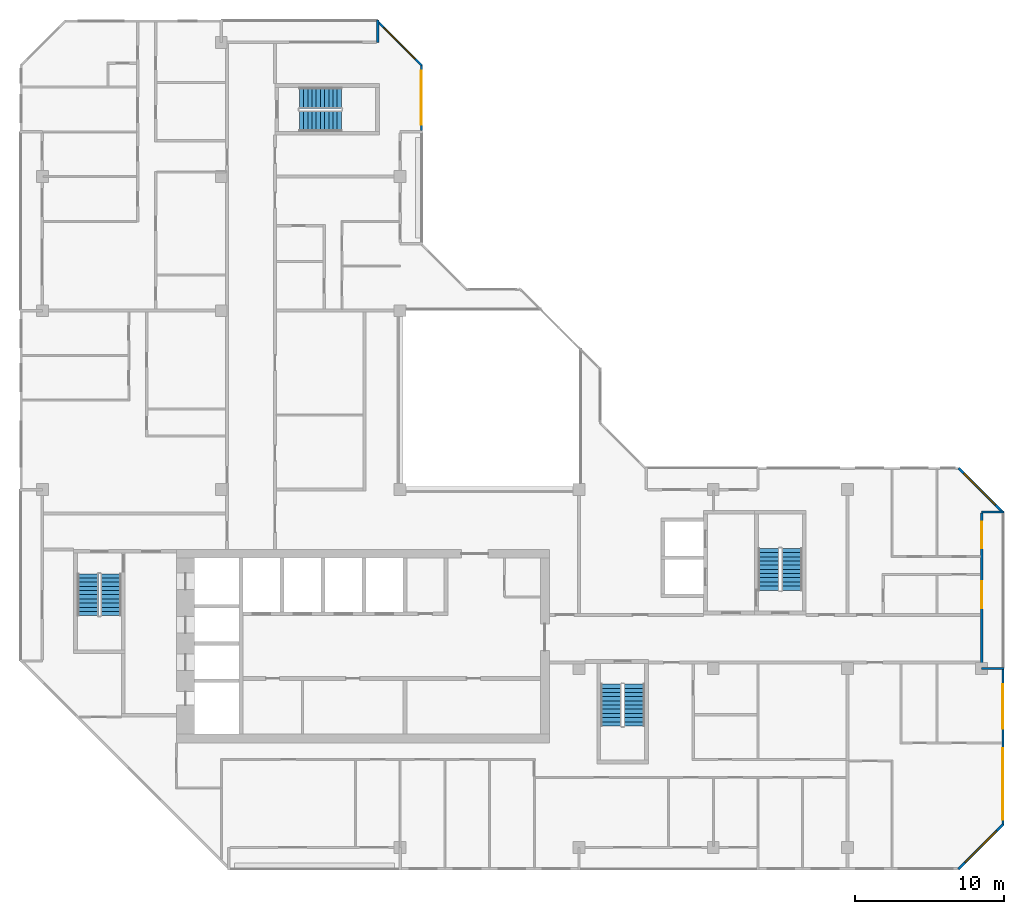
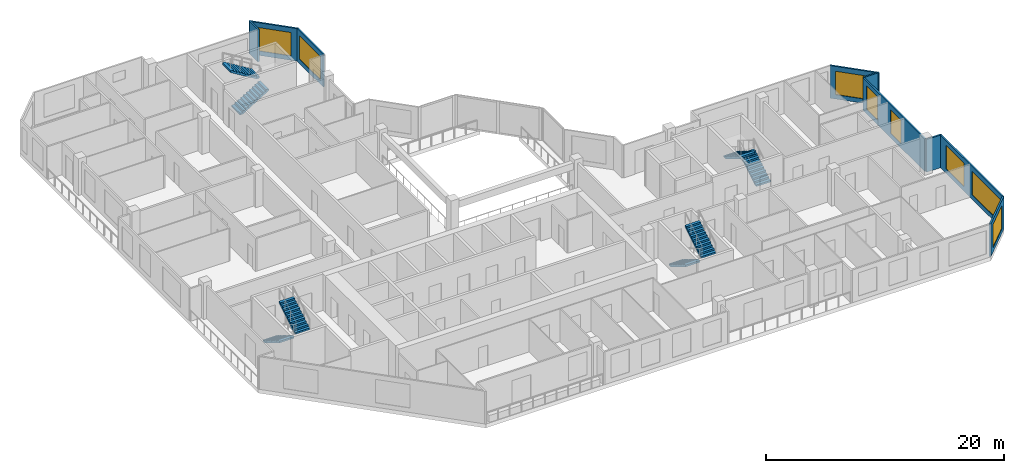
# One storey, part 11 of 13: 9 walls, 8 stair flights, 8 windows, 8 openings, 4 elements without a shape of their own.
"""IFC4 building model written with IfcOpenShell, lengths in metres."""

from ifc_helpers import new_model, si_unit, direction, frame, frame_2d, origin, place, context, subcontext, project, spatial, polyline, rectangle, outline, extrude, material, layer, layer_set, type_object, element, fill, aggregate, save


model = new_model("IFC4")

# Units and contexts
model_context = context("Model", 3, precision=1e-05, world=origin(), true_north=direction((0.0, 1.0)))
body_context = subcontext(model_context, "Body", "Model", "MODEL_VIEW")
ifc_project = project(units=[si_unit("LENGTHUNIT", "METRE"), si_unit("AREAUNIT", "SQUARE_METRE"), si_unit("VOLUMEUNIT", "CUBIC_METRE"), si_unit("PLANEANGLEUNIT", "RADIAN"), si_unit("MASSUNIT", "GRAM", prefix="KILO")], contexts=[model_context])

# Site, building, storey
site_placement = place(None, origin())
site = spatial("IfcSite", under=ifc_project, at=site_placement, CompositionType="ELEMENT")
building_placement = place(site_placement, origin())
building = spatial("IfcBuilding", under=site, at=building_placement, Name="Chenar Terraces", CompositionType="ELEMENT")
storey_placement = place(building_placement, frame((0.0, 0.0, 284.64990234375)))
storey = spatial("IfcBuildingStorey", under=building, at=storey_placement, Name="L66", CompositionType="ELEMENT", Elevation=284.64990234375)

# Wall, opening, window
ifc_material_1 = material(Name="Aluminium framed glazing", Category="aluminium")
ifc_layer_1 = layer(ifc_material_1, 0.14990234375)
ifc_layer_set_1 = layer_set([ifc_layer_1], Name="Aluminium framed glazing")
wall_type_1 = type_object("IfcWallType", Name="Glazed flush facade wall 150", PredefinedType="SOLIDWALL", material=ifc_layer_set_1)
wall_1_placement = place(storey_placement, frame((25.425048828125, 48.074951171875, 0.0), z_axis=(0.0, 0.0, 1.0), x_axis=(0.0, 1.0, 0.0)))
wall_1 = element("IfcWall", 1, at=wall_1_placement, inside=storey, type_object=wall_type_1, Name="Glazed flush facade wall", PredefinedType="SOLIDWALL", context=body_context, shape_type="SweptSolid", body=[
    extrude(rectangle(XDim=4.425048828125, YDim=0.14990234375, at=frame_2d((2.21240234375, 0.0))), origin(), (0.0, 0.0, 1.0), 3.35009765625),
])
opening_1_placement = place(wall_1_placement, frame((0.41259765625, 0.0, 0.449951171875)))
opening_1 = element("IfcOpeningElement", 2, at=opening_1_placement, cuts=wall_1, Name="Opening W360x240", PredefinedType="OPENING", context=body_context, shape_type="SweptSolid", body=[
    extrude(rectangle(XDim=3.60009765625, YDim=2.39990234375, at=frame_2d((1.800048828125, 1.199951171875))), frame((0.0, 0.0849609375, 0.0), z_axis=(0.0, -1.0, 0.0), x_axis=(1.0, 0.0, 0.0)), (0.0, 0.0, 1.0), 0.169921875),
])
ifc_material_2 = material(Name="Low emissivity double glazing, aluminium frame", Category="aluminium")
window_type_1 = type_object("IfcWindowType", Name="Fixed light 3600 x 2400", PartitioningType="SINGLE_PANEL", PredefinedType="WINDOW", material=ifc_material_2)
window_1_placement = place(opening_1_placement, origin())
window_1 = element("IfcWindow", 3, at=window_1_placement, inside=storey, type_object=window_type_1, Name="Window", OverallHeight=2.39990234375, OverallWidth=3.60009765625, PartitioningType="SINGLE_PANEL", PredefinedType="WINDOW", context=body_context, shape_type="SweptSolid", body=[
    extrude(rectangle(XDim=3.60009765625, YDim=2.39990234375, at=frame_2d((1.800048828125, 1.199951171875))), frame((0.0, 0.030029296875, 0.0), z_axis=(0.0, -1.0, 0.0), x_axis=(1.0, 0.0, 0.0)), (0.0, 0.0, 1.0), 0.06005859375),
])
fill(opening_1, window_1)

# Wall, openings, windows
wall_2_placement = place(storey_placement, frame((64.425048828125, 1.5, 0.0), z_axis=(0.0, 0.0, 1.0), x_axis=(0.0, 1.0, 0.0)))
wall_2 = element("IfcWall", 4, at=wall_2_placement, inside=storey, type_object=wall_type_1, Name="Glazed flush facade wall", PredefinedType="SOLIDWALL", context=body_context, shape_type="SweptSolid", body=[
    extrude(rectangle(XDim=10.425048828125, YDim=0.14990234375, at=frame_2d((5.21240234375, 0.0))), origin(), (0.0, 0.0, 1.0), 3.35009765625),
])
opening_2_placement = place(wall_2_placement, frame((0.35009765625, 0.0, 0.449951171875)))
opening_2 = element("IfcOpeningElement", 5, at=opening_2_placement, cuts=wall_2, Name="Opening W480x240", PredefinedType="OPENING", context=body_context, shape_type="SweptSolid", body=[
    extrude(rectangle(XDim=4.800048828125, YDim=2.39990234375, at=frame_2d((2.39990234375, 1.199951171875))), frame((0.0, 0.0849609375, 0.0), z_axis=(0.0, -1.0, 0.0), x_axis=(1.0, 0.0, 0.0)), (0.0, 0.0, 1.0), 0.169921875),
])
opening_3_placement = place(wall_2_placement, frame((6.46240234375, 0.0, 0.449951171875)))
opening_3 = element("IfcOpeningElement", 6, at=opening_3_placement, cuts=wall_2, Name="Opening W300x240", PredefinedType="OPENING", context=body_context, shape_type="SweptSolid", body=[
    extrude(rectangle(XDim=3.0, YDim=2.39990234375, at=frame_2d((1.5, 1.199951171875))), frame((0.0, 0.0849609375, 0.0), z_axis=(0.0, -1.0, 0.0), x_axis=(1.0, 0.0, 0.0)), (0.0, 0.0, 1.0), 0.169921875),
])
ifc_material_3 = material(Name="Low emissivity double glazing, aluminium frame", Category="aluminium")
window_type_2 = type_object("IfcWindowType", Name="Fixed light 3000 x 2400", PartitioningType="SINGLE_PANEL", PredefinedType="WINDOW", material=ifc_material_3)
window_2_placement = place(opening_3_placement, origin())
window_2 = element("IfcWindow", 7, at=window_2_placement, inside=storey, type_object=window_type_2, Name="Window", OverallHeight=2.39990234375, OverallWidth=3.0, PartitioningType="SINGLE_PANEL", PredefinedType="WINDOW", context=body_context, shape_type="SweptSolid", body=[
    extrude(rectangle(XDim=3.0, YDim=2.39990234375, at=frame_2d((1.5, 1.199951171875))), frame((0.0, 0.030029296875, 0.0), z_axis=(0.0, -1.0, 0.0), x_axis=(1.0, 0.0, 0.0)), (0.0, 0.0, 1.0), 0.06005859375),
])
fill(opening_3, window_2)
ifc_material_4 = material(Name="Low emissivity double glazing, aluminium frame", Category="aluminium")
window_type_3 = type_object("IfcWindowType", Name="Fixed light 4800 x 2400", PartitioningType="SINGLE_PANEL", PredefinedType="WINDOW", material=ifc_material_4)
window_3_placement = place(opening_2_placement, origin())
window_3 = element("IfcWindow", 8, at=window_3_placement, inside=storey, type_object=window_type_3, Name="Window", OverallHeight=2.39990234375, OverallWidth=4.800048828125, PartitioningType="SINGLE_PANEL", PredefinedType="WINDOW", context=body_context, shape_type="SweptSolid", body=[
    extrude(rectangle(XDim=4.800048828125, YDim=2.39990234375, at=frame_2d((2.39990234375, 1.199951171875))), frame((0.0, 0.030029296875, 0.0), z_axis=(0.0, -1.0, 0.0), x_axis=(1.0, 0.0, 0.0)), (0.0, 0.0, 1.0), 0.06005859375),
])
fill(opening_2, window_3)

ifc_material_5 = material(Name="Aluminium framed glazing", Category="aluminium")
ifc_layer_2 = layer(ifc_material_5, 0.14990234375)
ifc_layer_set_2 = layer_set([ifc_layer_2], Name="Aluminium framed glazing")
wall_type_2 = type_object("IfcWallType", Name="Glazed loggia back wall 150", PredefinedType="SOLIDWALL", material=ifc_layer_set_2)
wall_3_placement = place(storey_placement, frame((63.0, 12.074951171875, 0.0), z_axis=(0.0, 0.0, 1.0), x_axis=(0.0, 1.0, 0.0)))
wall_3 = element("IfcWall", 9, at=wall_3_placement, inside=storey, type_object=wall_type_2, Name="Glazed loggia back wall", PredefinedType="SOLIDWALL", context=body_context, shape_type="SweptSolid", body=[
    extrude(rectangle(XDim=10.35009765625, YDim=0.14990234375, at=frame_2d((5.175048828125, 0.0))), origin(), (0.0, 0.0, 1.0), 3.35009765625),
])
opening_4_placement = place(wall_3_placement, frame((3.97509765625, 0.0, 0.449951171875)))
opening_4 = element("IfcOpeningElement", 10, at=opening_4_placement, cuts=wall_3, Name="Opening W180x240", PredefinedType="OPENING", context=body_context, shape_type="SweptSolid", body=[
    extrude(rectangle(XDim=1.800048828125, YDim=2.39990234375, at=frame_2d((0.89990234375, 1.199951171875))), frame((0.0, 0.0849609375, 0.0), z_axis=(0.0, -1.0, 0.0), x_axis=(1.0, 0.0, 0.0)), (0.0, 0.0, 1.0), 0.169921875),
])
opening_5_placement = place(wall_3_placement, frame((7.987548828125, 0.0, 0.449951171875)))
opening_5 = element("IfcOpeningElement", 11, at=opening_5_placement, cuts=wall_3, Name="Opening W180x240", PredefinedType="OPENING", context=body_context, shape_type="SweptSolid", body=[
    extrude(rectangle(XDim=1.800048828125, YDim=2.39990234375, at=frame_2d((0.89990234375, 1.199951171875))), frame((0.0, 0.0849609375, 0.0), z_axis=(0.0, -1.0, 0.0), x_axis=(1.0, 0.0, 0.0)), (0.0, 0.0, 1.0), 0.169921875),
])
ifc_material_6 = material(Name="Low emissivity double glazing, aluminium frame", Category="aluminium")
window_type_4 = type_object("IfcWindowType", Name="Fixed light 1800 x 2400", PartitioningType="SINGLE_PANEL", PredefinedType="WINDOW", material=ifc_material_6)
window_4_placement = place(opening_4_placement, origin())
window_4 = element("IfcWindow", 12, at=window_4_placement, inside=storey, type_object=window_type_4, Name="Window", OverallHeight=2.39990234375, OverallWidth=1.800048828125, PartitioningType="SINGLE_PANEL", PredefinedType="WINDOW", context=body_context, shape_type="SweptSolid", body=[
    extrude(rectangle(XDim=1.800048828125, YDim=2.39990234375, at=frame_2d((0.89990234375, 1.199951171875))), frame((0.0, 0.030029296875, 0.0), z_axis=(0.0, -1.0, 0.0), x_axis=(1.0, 0.0, 0.0)), (0.0, 0.0, 1.0), 0.06005859375),
])
fill(opening_4, window_4)
window_5_placement = place(opening_5_placement, origin())
window_5 = element("IfcWindow", 13, at=window_5_placement, inside=storey, type_object=window_type_4, Name="Window", OverallHeight=2.39990234375, OverallWidth=1.800048828125, PartitioningType="SINGLE_PANEL", PredefinedType="WINDOW", context=body_context, shape_type="SweptSolid", body=[
    extrude(rectangle(XDim=1.800048828125, YDim=2.39990234375, at=frame_2d((0.89990234375, 1.199951171875))), frame((0.0, 0.030029296875, 0.0), z_axis=(0.0, -1.0, 0.0), x_axis=(1.0, 0.0, 0.0)), (0.0, 0.0, 1.0), 0.06005859375),
])
fill(opening_5, window_5)

# Walls
ifc_material_7 = material(Name="Terracotta cladding on insulated backing", Category="masonry")
ifc_layer_3 = layer(ifc_material_7, 0.14990234375)
ifc_layer_set_3 = layer_set([ifc_layer_3], Name="Terracotta cladding on insulated backing")
wall_type_3 = type_object("IfcWallType", Name="Loggia return wall 150", PredefinedType="SOLIDWALL", material=ifc_layer_set_3)
for number, where, z_axis, x_axis, name in (
    (14, (22.5, 55.5, 0.0), (0.0, 0.0, 1.0), (0.0, -1.0, 0.0), "Loggia return wall"),
    (15, (64.5, 12.0, 0.0), (0.0, 0.0, 1.0), (-1.0, 0.0, 0.0), "Loggia return wall"),
    (16, (64.5, 22.5, 0.0), (0.0, 0.0, 1.0), (-1.0, 0.0, 0.0), "Loggia return wall"),
):
    element("IfcWall", number, at=place(storey_placement, frame(where, z_axis=z_axis, x_axis=x_axis)), inside=storey, type_object=wall_type_3, Name=name, PredefinedType="SOLIDWALL", context=body_context, shape_type="SweptSolid", body=[
        extrude(rectangle(XDim=1.5, YDim=0.14990234375, at=frame_2d((0.75, 0.0))), origin(), (0.0, 0.0, 1.0), 3.35009765625),
    ])

# Wall, opening, window
ifc_material_8 = material(Name="Terracotta cladding on insulated backing", Category="masonry")
ifc_layer_4 = layer(ifc_material_8, 0.14990234375)
ifc_layer_set_4 = layer_set([ifc_layer_4], Name="Terracotta cladding on insulated backing")
wall_type_4 = type_object("IfcWallType", Name="Terracotta rainscreen wall 150", PredefinedType="SOLIDWALL", material=ifc_layer_set_4)
wall_4_placement = place(storey_placement, frame((25.447021484375, 52.447021484375, 0.0), z_axis=(0.0, 0.0, 1.0), x_axis=(-0.707106781187, 0.707106781187, 0.0)))
wall_4 = element("IfcWall", 17, at=wall_4_placement, inside=storey, type_object=wall_type_4, Name="Terracotta rainscreen wall", PredefinedType="SOLIDWALL", context=body_context, shape_type="SweptSolid", body=[
    extrude(rectangle(XDim=4.24267578125, YDim=0.14990234375, at=frame_2d((2.121337890625, 0.0))), origin(), (0.0, 0.0, 1.0), 3.35009765625),
])
opening_6_placement = place(wall_4_placement, frame((0.621337890625, 0.0, 0.449951171875)))
opening_6 = element("IfcOpeningElement", 18, at=opening_6_placement, cuts=wall_4, Name="Opening W300x240", PredefinedType="OPENING", context=body_context, shape_type="SweptSolid", body=[
    extrude(rectangle(XDim=3.0, YDim=2.39990234375, at=frame_2d((1.5, 1.199951171875))), frame((0.0, 0.0849609375, 0.0), z_axis=(0.0, -1.0, 0.0), x_axis=(1.0, 0.0, 0.0)), (0.0, 0.0, 1.0), 0.169921875),
])
window_6_placement = place(opening_6_placement, origin())
window_6 = element("IfcWindow", 19, at=window_6_placement, inside=storey, type_object=window_type_2, Name="Window", OverallHeight=2.39990234375, OverallWidth=3.0, PartitioningType="SINGLE_PANEL", PredefinedType="WINDOW", context=body_context, shape_type="SweptSolid", body=[
    extrude(rectangle(XDim=3.0, YDim=2.39990234375, at=frame_2d((1.5, 1.199951171875))), frame((0.0, 0.030029296875, 0.0), z_axis=(0.0, -1.0, 0.0), x_axis=(1.0, 0.0, 0.0)), (0.0, 0.0, 1.0), 0.06005859375),
])
fill(opening_6, window_6)

wall_5_placement = place(storey_placement, frame((61.447021484375, -1.447021484375, 0.0), z_axis=(0.0, 0.0, 1.0), x_axis=(0.707106781187, 0.707106781187, 0.0)))
wall_5 = element("IfcWall", 20, at=wall_5_placement, inside=storey, type_object=wall_type_4, Name="Terracotta rainscreen wall", PredefinedType="SOLIDWALL", context=body_context, shape_type="SweptSolid", body=[
    extrude(rectangle(XDim=4.24267578125, YDim=0.14990234375, at=frame_2d((2.121337890625, 0.0))), origin(), (0.0, 0.0, 1.0), 3.35009765625),
])
opening_7_placement = place(wall_5_placement, frame((0.621337890625, 0.0, 0.449951171875)))
opening_7 = element("IfcOpeningElement", 21, at=opening_7_placement, cuts=wall_5, Name="Opening W300x240", PredefinedType="OPENING", context=body_context, shape_type="SweptSolid", body=[
    extrude(rectangle(XDim=3.0, YDim=2.39990234375, at=frame_2d((1.5, 1.199951171875))), frame((0.0, 0.0849609375, 0.0), z_axis=(0.0, -1.0, 0.0), x_axis=(1.0, 0.0, 0.0)), (0.0, 0.0, 1.0), 0.169921875),
])
window_7_placement = place(opening_7_placement, origin())
window_7 = element("IfcWindow", 22, at=window_7_placement, inside=storey, type_object=window_type_2, Name="Window", OverallHeight=2.39990234375, OverallWidth=3.0, PartitioningType="SINGLE_PANEL", PredefinedType="WINDOW", context=body_context, shape_type="SweptSolid", body=[
    extrude(rectangle(XDim=3.0, YDim=2.39990234375, at=frame_2d((1.5, 1.199951171875))), frame((0.0, 0.030029296875, 0.0), z_axis=(0.0, -1.0, 0.0), x_axis=(1.0, 0.0, 0.0)), (0.0, 0.0, 1.0), 0.06005859375),
])
fill(opening_7, window_7)

wall_6_placement = place(storey_placement, frame((64.447021484375, 22.447021484375, 0.0), z_axis=(0.0, 0.0, 1.0), x_axis=(-0.707106781187, 0.707106781187, 0.0)))
wall_6 = element("IfcWall", 23, at=wall_6_placement, inside=storey, type_object=wall_type_4, Name="Terracotta rainscreen wall", PredefinedType="SOLIDWALL", context=body_context, shape_type="SweptSolid", body=[
    extrude(rectangle(XDim=4.24267578125, YDim=0.14990234375, at=frame_2d((2.121337890625, 0.0))), origin(), (0.0, 0.0, 1.0), 3.35009765625),
])
opening_8_placement = place(wall_6_placement, frame((0.744384765625, 0.0, 0.449951171875)))
opening_8 = element("IfcOpeningElement", 24, at=opening_8_placement, cuts=wall_6, Name="Opening W300x240", PredefinedType="OPENING", context=body_context, shape_type="SweptSolid", body=[
    extrude(rectangle(XDim=3.0, YDim=2.39990234375, at=frame_2d((1.5, 1.199951171875))), frame((0.0, 0.0849609375, 0.0), z_axis=(0.0, -1.0, 0.0), x_axis=(1.0, 0.0, 0.0)), (0.0, 0.0, 1.0), 0.169921875),
])
window_8_placement = place(opening_8_placement, origin())
window_8 = element("IfcWindow", 25, at=window_8_placement, inside=storey, type_object=window_type_2, Name="Window", OverallHeight=2.39990234375, OverallWidth=3.0, PartitioningType="SINGLE_PANEL", PredefinedType="WINDOW", context=body_context, shape_type="SweptSolid", body=[
    extrude(rectangle(XDim=3.0, YDim=2.39990234375, at=frame_2d((1.5, 1.199951171875))), frame((0.0, 0.030029296875, 0.0), z_axis=(0.0, -1.0, 0.0), x_axis=(1.0, 0.0, 0.0)), (0.0, 0.0, 1.0), 0.06005859375),
])
fill(opening_8, window_8)

# Stair, stair flights
ifc_material_9 = material(Name="Reinforced concrete C40/50", Category="concrete")
stair_type = type_object("IfcStairType", Name="Core stair 1400 half-turn", PredefinedType="HALF_TURN_STAIR", material=ifc_material_9)
placement = place(storey_placement, origin())
stair_1 = element("IfcStair", 26, at=placement, inside=storey, type_object=stair_type, Name="L66 Stair 1", PredefinedType="HALF_TURN_STAIR")
ifc_material_10 = material(Name="Reinforced concrete C40/50", Category="concrete")
stair_flight_type = type_object("IfcStairFlightType", Name="Core stair flight 1400", PredefinedType="STRAIGHT", material=ifc_material_10)
stair_flight_1_placement = place(storey_placement, frame((3.050048828125, 18.35009765625, 0.0), z_axis=(0.0, 0.0, 1.0), x_axis=(0.0, -1.0, 0.0)))
stair_flight_1 = element("IfcStairFlight", 27, at=stair_flight_1_placement, type_object=stair_flight_type, Name="ST1 flight 1", NumberOfRisers=11, NumberOfTreads=10, PredefinedType="STRAIGHT", RiserHeight=0.170454545, TreadLength=0.28, context=body_context, shape_type="SweptSolid", body=[
    extrude(outline(polyline([(-0.0029296875, 0.0), (-0.0029296875, 0.17041015625), (0.0, 0.17041015625), (0.280029296875, 0.17041015625), (0.280029296875, 0.3408203125), (0.56005859375, 0.3408203125), (0.56005859375, 0.511474609375), (0.840087890625, 0.511474609375), (0.840087890625, 0.681884765625), (1.1201171875, 0.681884765625), (1.1201171875, 0.852294921875), (1.39990234375, 0.852294921875), (1.39990234375, 1.022705078125), (1.679931640625, 1.022705078125), (1.679931640625, 1.193115234375), (1.9599609375, 1.193115234375), (1.9599609375, 1.363525390625), (2.239990234375, 1.363525390625), (2.239990234375, 1.5341796875), (2.52001953125, 1.5341796875), (2.52001953125, 1.70458984375), (2.800048828125, 1.70458984375), (2.802978515625, 1.70458984375), (2.802978515625, 1.529052734375), (2.800048828125, 1.529052734375), (0.288330078125, 0.0), (-0.0029296875, 0.0)])), frame((0.0, 0.699951171875, 0.0), z_axis=(0.0, -1.0, 0.0), x_axis=(1.0, 0.0, 0.0)), (0.0, 0.0, 1.0), 1.39990234375),
])
stair_flight_2_placement = place(storey_placement, frame((4.60009765625, 15.550048828125, 1.875), z_axis=(0.0, 0.0, 1.0), x_axis=(0.0, 1.0, 0.0)))
stair_flight_2 = element("IfcStairFlight", 28, at=stair_flight_2_placement, type_object=stair_flight_type, Name="ST1 flight 2", NumberOfRisers=11, NumberOfTreads=10, PredefinedType="STRAIGHT", RiserHeight=0.170454545, TreadLength=0.28, context=body_context, shape_type="SweptSolid", body=[
    extrude(outline(polyline([(-0.0029296875, 0.0), (-0.0029296875, 0.17041015625), (0.0, 0.17041015625), (0.280029296875, 0.17041015625), (0.280029296875, 0.3408203125), (0.56005859375, 0.3408203125), (0.56005859375, 0.511474609375), (0.840087890625, 0.511474609375), (0.840087890625, 0.681884765625), (1.1201171875, 0.681884765625), (1.1201171875, 0.852294921875), (1.39990234375, 0.852294921875), (1.39990234375, 1.022705078125), (1.679931640625, 1.022705078125), (1.679931640625, 1.193115234375), (1.9599609375, 1.193115234375), (1.9599609375, 1.363525390625), (2.239990234375, 1.363525390625), (2.239990234375, 1.5341796875), (2.52001953125, 1.5341796875), (2.52001953125, 1.70458984375), (2.800048828125, 1.70458984375), (2.802978515625, 1.70458984375), (2.802978515625, 1.529052734375), (2.800048828125, 1.529052734375), (0.288330078125, 0.0), (-0.0029296875, 0.0)])), frame((0.0, 0.699951171875, 0.0), z_axis=(0.0, -1.0, 0.0), x_axis=(1.0, 0.0, 0.0)), (0.0, 0.0, 1.0), 1.39990234375),
])
aggregate(stair_1, [stair_flight_1, stair_flight_2])

stair_2 = element("IfcStair", 29, at=placement, inside=storey, type_object=stair_type, Name="L66 Stair 2", PredefinedType="HALF_TURN_STAIR")
stair_flight_3_placement = place(storey_placement, frame((38.14990234375, 10.949951171875, 0.0), z_axis=(0.0, 0.0, 1.0), x_axis=(0.0, -1.0, 0.0)))
stair_flight_3 = element("IfcStairFlight", 30, at=stair_flight_3_placement, type_object=stair_flight_type, Name="ST2 flight 1", NumberOfRisers=11, NumberOfTreads=10, PredefinedType="STRAIGHT", RiserHeight=0.170454545, TreadLength=0.28, context=body_context, shape_type="SweptSolid", body=[
    extrude(outline(polyline([(-0.0029296875, 0.0), (-0.0029296875, 0.17041015625), (0.0, 0.17041015625), (0.280029296875, 0.17041015625), (0.280029296875, 0.3408203125), (0.56005859375, 0.3408203125), (0.56005859375, 0.511474609375), (0.840087890625, 0.511474609375), (0.840087890625, 0.681884765625), (1.1201171875, 0.681884765625), (1.1201171875, 0.852294921875), (1.39990234375, 0.852294921875), (1.39990234375, 1.022705078125), (1.679931640625, 1.022705078125), (1.679931640625, 1.193115234375), (1.9599609375, 1.193115234375), (1.9599609375, 1.363525390625), (2.239990234375, 1.363525390625), (2.239990234375, 1.5341796875), (2.52001953125, 1.5341796875), (2.52001953125, 1.70458984375), (2.800048828125, 1.70458984375), (2.802978515625, 1.70458984375), (2.802978515625, 1.529052734375), (2.800048828125, 1.529052734375), (0.288330078125, 0.0), (-0.0029296875, 0.0)])), frame((0.0, 0.699951171875, 0.0), z_axis=(0.0, -1.0, 0.0), x_axis=(1.0, 0.0, 0.0)), (0.0, 0.0, 1.0), 1.39990234375),
])
stair_flight_4_placement = place(storey_placement, frame((39.699951171875, 8.14990234375, 1.875), z_axis=(0.0, 0.0, 1.0), x_axis=(0.0, 1.0, 0.0)))
stair_flight_4 = element("IfcStairFlight", 31, at=stair_flight_4_placement, type_object=stair_flight_type, Name="ST2 flight 2", NumberOfRisers=11, NumberOfTreads=10, PredefinedType="STRAIGHT", RiserHeight=0.170454545, TreadLength=0.28, context=body_context, shape_type="SweptSolid", body=[
    extrude(outline(polyline([(-0.0029296875, 0.0), (-0.0029296875, 0.17041015625), (0.0, 0.17041015625), (0.280029296875, 0.17041015625), (0.280029296875, 0.3408203125), (0.56005859375, 0.3408203125), (0.56005859375, 0.511474609375), (0.840087890625, 0.511474609375), (0.840087890625, 0.681884765625), (1.1201171875, 0.681884765625), (1.1201171875, 0.852294921875), (1.39990234375, 0.852294921875), (1.39990234375, 1.022705078125), (1.679931640625, 1.022705078125), (1.679931640625, 1.193115234375), (1.9599609375, 1.193115234375), (1.9599609375, 1.363525390625), (2.239990234375, 1.363525390625), (2.239990234375, 1.5341796875), (2.52001953125, 1.5341796875), (2.52001953125, 1.70458984375), (2.800048828125, 1.70458984375), (2.802978515625, 1.70458984375), (2.802978515625, 1.529052734375), (2.800048828125, 1.529052734375), (0.288330078125, 0.0), (-0.0029296875, 0.0)])), frame((0.0, 0.699951171875, 0.0), z_axis=(0.0, -1.0, 0.0), x_axis=(1.0, 0.0, 0.0)), (0.0, 0.0, 1.0), 1.39990234375),
])
aggregate(stair_2, [stair_flight_3, stair_flight_4])

stair_3 = element("IfcStair", 32, at=placement, inside=storey, type_object=stair_type, Name="L66 Stair 3", PredefinedType="HALF_TURN_STAIR")
stair_flight_5_placement = place(storey_placement, frame((50.27490234375, 17.25, 0.0), z_axis=(0.0, 0.0, 1.0), x_axis=(0.0, 1.0, 0.0)))
stair_flight_5 = element("IfcStairFlight", 33, at=stair_flight_5_placement, type_object=stair_flight_type, Name="ST3 flight 1", NumberOfRisers=11, NumberOfTreads=10, PredefinedType="STRAIGHT", RiserHeight=0.170454545, TreadLength=0.28, context=body_context, shape_type="SweptSolid", body=[
    extrude(outline(polyline([(-0.0029296875, 0.0), (-0.0029296875, 0.17041015625), (0.0, 0.17041015625), (0.280029296875, 0.17041015625), (0.280029296875, 0.3408203125), (0.56005859375, 0.3408203125), (0.56005859375, 0.511474609375), (0.840087890625, 0.511474609375), (0.840087890625, 0.681884765625), (1.1201171875, 0.681884765625), (1.1201171875, 0.852294921875), (1.39990234375, 0.852294921875), (1.39990234375, 1.022705078125), (1.679931640625, 1.022705078125), (1.679931640625, 1.193115234375), (1.9599609375, 1.193115234375), (1.9599609375, 1.363525390625), (2.239990234375, 1.363525390625), (2.239990234375, 1.5341796875), (2.52001953125, 1.5341796875), (2.52001953125, 1.70458984375), (2.800048828125, 1.70458984375), (2.802978515625, 1.70458984375), (2.802978515625, 1.529052734375), (2.800048828125, 1.529052734375), (0.288330078125, 0.0), (-0.0029296875, 0.0)])), frame((0.0, 0.699951171875, 0.0), z_axis=(0.0, -1.0, 0.0), x_axis=(1.0, 0.0, 0.0)), (0.0, 0.0, 1.0), 1.39990234375),
])
stair_flight_6_placement = place(storey_placement, frame((48.72509765625, 20.050048828125, 1.875), z_axis=(0.0, 0.0, 1.0), x_axis=(0.0, -1.0, 0.0)))
stair_flight_6 = element("IfcStairFlight", 34, at=stair_flight_6_placement, type_object=stair_flight_type, Name="ST3 flight 2", NumberOfRisers=11, NumberOfTreads=10, PredefinedType="STRAIGHT", RiserHeight=0.170454545, TreadLength=0.28, context=body_context, shape_type="SweptSolid", body=[
    extrude(outline(polyline([(-0.0029296875, 0.0), (-0.0029296875, 0.17041015625), (0.0, 0.17041015625), (0.280029296875, 0.17041015625), (0.280029296875, 0.3408203125), (0.56005859375, 0.3408203125), (0.56005859375, 0.511474609375), (0.840087890625, 0.511474609375), (0.840087890625, 0.681884765625), (1.1201171875, 0.681884765625), (1.1201171875, 0.852294921875), (1.39990234375, 0.852294921875), (1.39990234375, 1.022705078125), (1.679931640625, 1.022705078125), (1.679931640625, 1.193115234375), (1.9599609375, 1.193115234375), (1.9599609375, 1.363525390625), (2.239990234375, 1.363525390625), (2.239990234375, 1.5341796875), (2.52001953125, 1.5341796875), (2.52001953125, 1.70458984375), (2.800048828125, 1.70458984375), (2.802978515625, 1.70458984375), (2.802978515625, 1.529052734375), (2.800048828125, 1.529052734375), (0.288330078125, 0.0), (-0.0029296875, 0.0)])), frame((0.0, 0.699951171875, 0.0), z_axis=(0.0, -1.0, 0.0), x_axis=(1.0, 0.0, 0.0)), (0.0, 0.0, 1.0), 1.39990234375),
])
aggregate(stair_3, [stair_flight_5, stair_flight_6])

stair_4 = element("IfcStair", 35, at=placement, inside=storey, type_object=stair_type, Name="L66 Stair 4", PredefinedType="HALF_TURN_STAIR")
stair_flight_7_placement = place(storey_placement, frame((17.25, 48.72509765625, 0.0), z_axis=(0.0, 0.0, 1.0), x_axis=(1.0, 0.0, 0.0)))
stair_flight_7 = element("IfcStairFlight", 36, at=stair_flight_7_placement, type_object=stair_flight_type, Name="ST4 flight 1", NumberOfRisers=11, NumberOfTreads=10, PredefinedType="STRAIGHT", RiserHeight=0.170454545, TreadLength=0.28, context=body_context, shape_type="SweptSolid", body=[
    extrude(outline(polyline([(-0.0029296875, 0.0), (-0.0029296875, 0.17041015625), (0.0, 0.17041015625), (0.280029296875, 0.17041015625), (0.280029296875, 0.3408203125), (0.56005859375, 0.3408203125), (0.56005859375, 0.511474609375), (0.840087890625, 0.511474609375), (0.840087890625, 0.681884765625), (1.1201171875, 0.681884765625), (1.1201171875, 0.852294921875), (1.39990234375, 0.852294921875), (1.39990234375, 1.022705078125), (1.679931640625, 1.022705078125), (1.679931640625, 1.193115234375), (1.9599609375, 1.193115234375), (1.9599609375, 1.363525390625), (2.239990234375, 1.363525390625), (2.239990234375, 1.5341796875), (2.52001953125, 1.5341796875), (2.52001953125, 1.70458984375), (2.800048828125, 1.70458984375), (2.802978515625, 1.70458984375), (2.802978515625, 1.529052734375), (2.800048828125, 1.529052734375), (0.288330078125, 0.0), (-0.0029296875, 0.0)])), frame((0.0, 0.699951171875, 0.0), z_axis=(0.0, -1.0, 0.0), x_axis=(1.0, 0.0, 0.0)), (0.0, 0.0, 1.0), 1.39990234375),
])
stair_flight_8_placement = place(storey_placement, frame((20.050048828125, 50.27490234375, 1.875), z_axis=(0.0, 0.0, 1.0), x_axis=(-1.0, 0.0, 0.0)))
stair_flight_8 = element("IfcStairFlight", 37, at=stair_flight_8_placement, type_object=stair_flight_type, Name="ST4 flight 2", NumberOfRisers=11, NumberOfTreads=10, PredefinedType="STRAIGHT", RiserHeight=0.170454545, TreadLength=0.28, context=body_context, shape_type="SweptSolid", body=[
    extrude(outline(polyline([(-0.0029296875, 0.0), (-0.0029296875, 0.17041015625), (0.0, 0.17041015625), (0.280029296875, 0.17041015625), (0.280029296875, 0.3408203125), (0.56005859375, 0.3408203125), (0.56005859375, 0.511474609375), (0.840087890625, 0.511474609375), (0.840087890625, 0.681884765625), (1.1201171875, 0.681884765625), (1.1201171875, 0.852294921875), (1.39990234375, 0.852294921875), (1.39990234375, 1.022705078125), (1.679931640625, 1.022705078125), (1.679931640625, 1.193115234375), (1.9599609375, 1.193115234375), (1.9599609375, 1.363525390625), (2.239990234375, 1.363525390625), (2.239990234375, 1.5341796875), (2.52001953125, 1.5341796875), (2.52001953125, 1.70458984375), (2.800048828125, 1.70458984375), (2.802978515625, 1.70458984375), (2.802978515625, 1.529052734375), (2.800048828125, 1.529052734375), (0.288330078125, 0.0), (-0.0029296875, 0.0)])), frame((0.0, 0.699951171875, 0.0), z_axis=(0.0, -1.0, 0.0), x_axis=(1.0, 0.0, 0.0)), (0.0, 0.0, 1.0), 1.39990234375),
])
aggregate(stair_4, [stair_flight_7, stair_flight_8])

save(model, "model.ifc")
